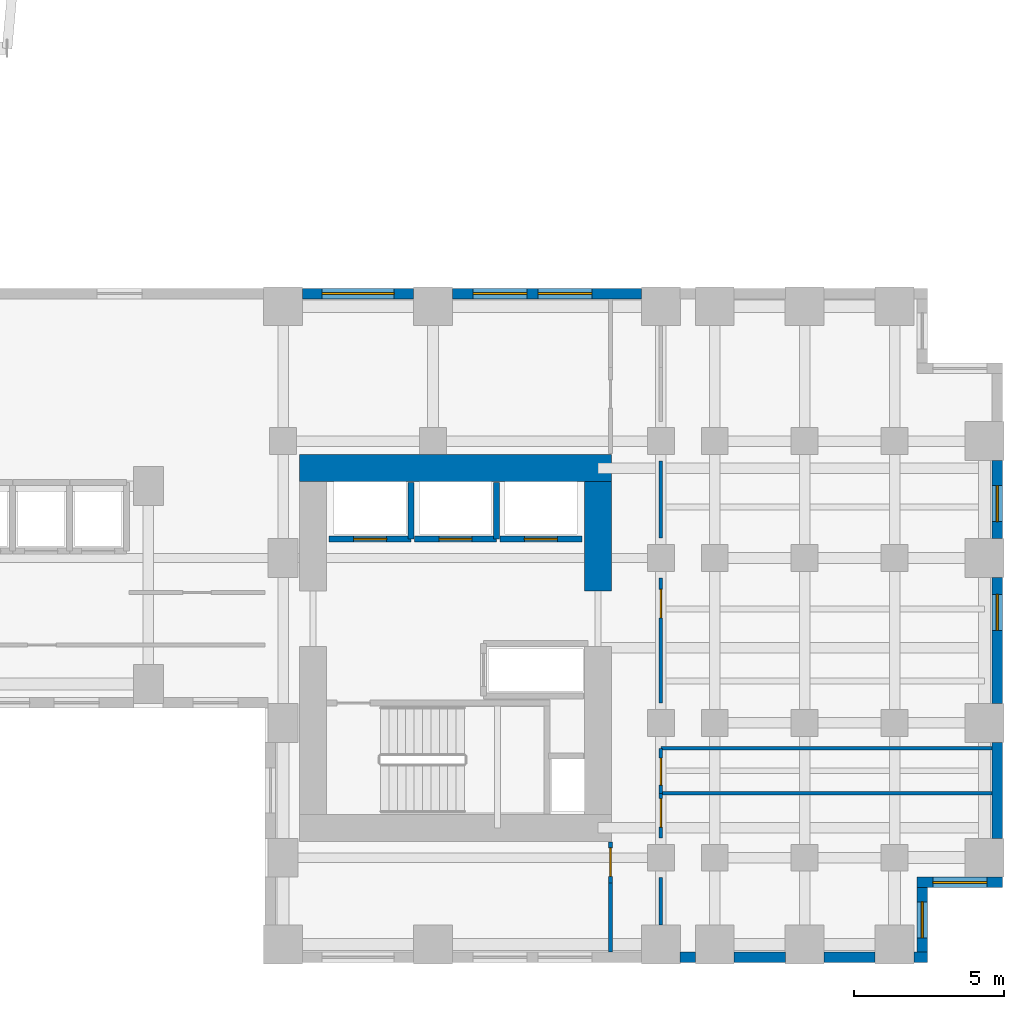
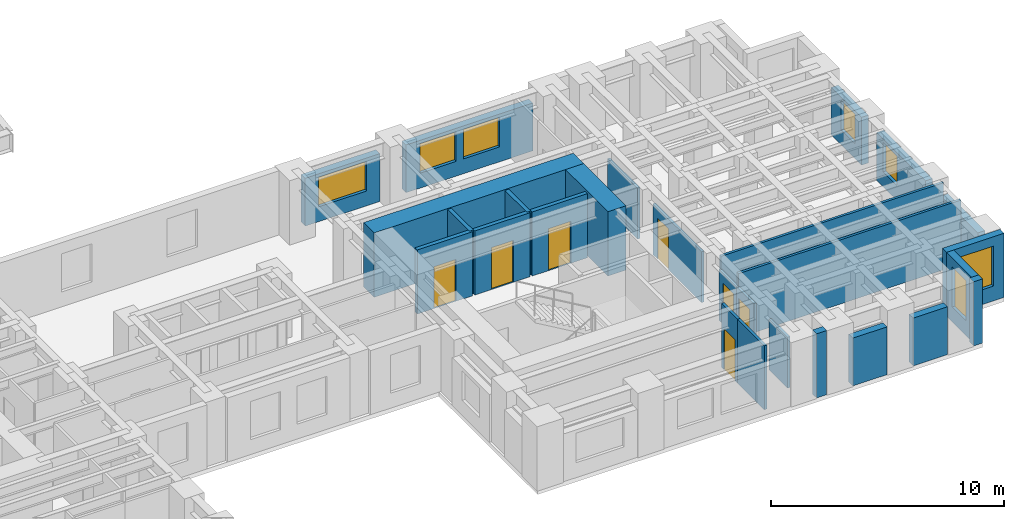
# One storey, part 10 of 15: 27 walls, 7 doors, 7 windows, 14 openings.
"""IFC4 building model written with IfcOpenShell, lengths in metres."""

from ifc_helpers import new_model, si_unit, direction, frame, frame_2d, origin, place, context, subcontext, project, spatial, rectangle, extrude, source, transform, mapped, material, layer, layer_set, type_object, element, fill, save


model = new_model("IFC4")

# Units and contexts
model_context = context("Model", 3, precision=1e-05, world=origin(), true_north=direction((0.0, 1.0)))
body_context = subcontext(model_context, "Body", "Model", "MODEL_VIEW")
ifc_project = project(units=[si_unit("LENGTHUNIT", "METRE"), si_unit("AREAUNIT", "SQUARE_METRE"), si_unit("VOLUMEUNIT", "CUBIC_METRE"), si_unit("PLANEANGLEUNIT", "RADIAN"), si_unit("MASSUNIT", "GRAM", prefix="KILO")], contexts=[model_context])

# Site, building, storey
site_placement = place(None, origin())
site = spatial("IfcSite", under=ifc_project, at=site_placement, CompositionType="ELEMENT")
building_placement = place(site_placement, origin())
building = spatial("IfcBuilding", under=site, at=building_placement, Name="Kharzan Plaza Tower", CompositionType="ELEMENT")
storey_placement = place(building_placement, frame((0.0, 0.0, 22.5)))
storey = spatial("IfcBuildingStorey", under=building, at=storey_placement, Name="L05", CompositionType="ELEMENT", Elevation=22.5)

# Wall, opening, window
ifc_material_1 = material(Name="Concrete C40/50", Category="concrete")
ifc_layer_1 = layer(ifc_material_1, 0.35009765625)
ifc_layer_set_1 = layer_set([ifc_layer_1], Name="Concrete C40/50")
wall_type_1 = type_object("IfcWallType", Name="WL-EXT-MAS-Z1", PredefinedType="SOLIDWALL", material=ifc_layer_set_1)
wall_1_placement = place(storey_placement, frame((56.324951171875, 0.347900390625, 0.0), z_axis=(0.0, 0.0, 1.0), x_axis=(0.0, 1.0, 0.0)))
wall_1 = element("IfcWall", 1, at=wall_1_placement, inside=storey, type_object=wall_type_1, Name="L05 Masonry-Frame Exterior Wall 39", PredefinedType="SOLIDWALL", context=body_context, shape_type="SweptSolid", body=[
    extrude(rectangle(XDim=2.154052734375, YDim=0.35009765625, at=frame_2d((1.0771484375, 0.0))), origin(), (0.0, 0.0, 1.0), 3.364990234375),
])
opening_1_placement = place(wall_1_placement, frame((0.47705078125, 0.0, 0.780029296875)))
opening_1 = element("IfcOpeningElement", 2, at=opening_1_placement, cuts=wall_1, Name="Opening W3", PredefinedType="OPENING", context=body_context, shape_type="SweptSolid", body=[
    extrude(rectangle(XDim=1.199951171875, YDim=2.10009765625, at=frame_2d((0.60009765625, 1.050048828125))), frame((0.0, 0.18505859375, 0.0), z_axis=(0.0, -1.0, 0.0), x_axis=(1.0, 0.0, 0.0)), (0.0, 0.0, 1.0), 0.3701171875),
])
ifc_material_2 = material(Name="Low-E Double Glazing", Category="glass")
window_type_1 = type_object("IfcWindowType", Name="WN-REC-1200x2100", PartitioningType="SINGLE_PANEL", PredefinedType="WINDOW", material=ifc_material_2)
shared_shape_1 = source(origin(), body_context, "Body", "SweptSolid", [
    extrude(rectangle(XDim=1.199951171875, YDim=2.10009765625, at=frame_2d((0.60009765625, 1.050048828125))), frame((0.0, 0.030029296875, 0.0), z_axis=(0.0, -1.0, 0.0), x_axis=(1.0, 0.0, 0.0)), (0.0, 0.0, 1.0), 0.06005859375),
])
window_1_placement = place(opening_1_placement, origin())
window_1 = element("IfcWindow", 3, at=window_1_placement, inside=storey, type_object=window_type_1, Name="L05 Recessed Solar-Control Window 39-1", OverallHeight=2.10009765625, OverallWidth=1.199951171875, PartitioningType="SINGLE_PANEL", PredefinedType="WINDOW", context=body_context, shape_type="MappedRepresentation", body=[
    mapped(shared_shape_1, transform((0.0, 0.0, 0.0), x_axis=(1.0, 0.0, 0.0), y_axis=(0.0, 1.0, 0.0), z_axis=(0.0, 0.0, 1.0))),
])
fill(opening_1, window_1)

wall_2_placement = place(storey_placement, frame((56.14990234375, 2.675048828125, 0.0), z_axis=(0.0, 0.0, 1.0), x_axis=(1.0, 0.0, 0.0)))
wall_2 = element("IfcWall", 4, at=wall_2_placement, inside=storey, type_object=wall_type_1, Name="L05 Masonry-Frame Exterior Wall 40", PredefinedType="SOLIDWALL", context=body_context, shape_type="SweptSolid", body=[
    extrude(rectangle(XDim=2.85009765625, YDim=0.35009765625, at=frame_2d((1.425048828125, 0.0))), origin(), (0.0, 0.0, 1.0), 3.364990234375),
])
opening_2_placement = place(wall_2_placement, frame((0.52490234375, 0.0, 0.780029296875)))
opening_2 = element("IfcOpeningElement", 5, at=opening_2_placement, cuts=wall_2, Name="Opening W1", PredefinedType="OPENING", context=body_context, shape_type="SweptSolid", body=[
    extrude(rectangle(XDim=1.800048828125, YDim=2.10009765625, at=frame_2d((0.89990234375, 1.050048828125))), frame((0.0, 0.18505859375, 0.0), z_axis=(0.0, -1.0, 0.0), x_axis=(1.0, 0.0, 0.0)), (0.0, 0.0, 1.0), 0.3701171875),
])
window_type_2 = type_object("IfcWindowType", Name="WN-REC-1800x2100", PartitioningType="SINGLE_PANEL", PredefinedType="WINDOW", material=ifc_material_2)
shared_shape_2 = source(origin(), body_context, "Body", "SweptSolid", [
    extrude(rectangle(XDim=1.800048828125, YDim=2.10009765625, at=frame_2d((0.89990234375, 1.050048828125))), frame((0.0, 0.030029296875, 0.0), z_axis=(0.0, -1.0, 0.0), x_axis=(1.0, 0.0, 0.0)), (0.0, 0.0, 1.0), 0.06005859375),
])
window_2_placement = place(opening_2_placement, origin())
window_2 = element("IfcWindow", 6, at=window_2_placement, inside=storey, type_object=window_type_2, Name="L05 Recessed Solar-Control Window 40-1", OverallHeight=2.10009765625, OverallWidth=1.800048828125, PartitioningType="SINGLE_PANEL", PredefinedType="WINDOW", context=body_context, shape_type="MappedRepresentation", body=[
    mapped(shared_shape_2, transform((0.0, 0.0, 0.0), x_axis=(1.0, 0.0, 0.0), y_axis=(0.0, 1.0, 0.0), z_axis=(0.0, 0.0, 1.0))),
])
fill(opening_2, window_2)

wall_3_placement = place(storey_placement, frame((58.824951171875, 8.64794921875, 0.0), z_axis=(0.0, 0.0, 1.0), x_axis=(0.0, 1.0, 0.0)))
wall_3 = element("IfcWall", 7, at=wall_3_placement, inside=storey, type_object=wall_type_1, Name="L05 Masonry-Frame Exterior Wall 42", PredefinedType="SOLIDWALL", context=body_context, shape_type="SweptSolid", body=[
    extrude(rectangle(XDim=4.2041015625, YDim=0.35009765625, at=frame_2d((2.10205078125, 0.0))), origin(), (0.0, 0.0, 1.0), 2.510009765625),
])
opening_3_placement = place(wall_3_placement, frame((2.436767578125, 0.0, 0.780029296875)))
opening_3 = element("IfcOpeningElement", 8, at=opening_3_placement, cuts=wall_3, Name="Opening W3", PredefinedType="OPENING", context=body_context, shape_type="SweptSolid", body=[
    extrude(rectangle(XDim=1.199951171875, YDim=1.550048828125, at=frame_2d((0.60009765625, 0.77490234375))), frame((0.0, 0.18505859375, 0.0), z_axis=(0.0, -1.0, 0.0), x_axis=(1.0, 0.0, 0.0)), (0.0, 0.0, 1.0), 0.3701171875),
])
shared_shape_3 = source(origin(), body_context, "Body", "SweptSolid", [
    extrude(rectangle(XDim=1.199951171875, YDim=1.550048828125, at=frame_2d((0.60009765625, 0.77490234375))), frame((0.0, 0.030029296875, 0.0), z_axis=(0.0, -1.0, 0.0), x_axis=(1.0, 0.0, 0.0)), (0.0, 0.0, 1.0), 0.06005859375),
])
window_3_placement = place(opening_3_placement, origin())
window_3 = element("IfcWindow", 9, at=window_3_placement, inside=storey, type_object=window_type_1, Name="L05 Recessed Solar-Control Window 42-1", OverallHeight=1.550048828125, OverallWidth=1.199951171875, PartitioningType="SINGLE_PANEL", PredefinedType="WINDOW", context=body_context, shape_type="MappedRepresentation", body=[
    mapped(shared_shape_3, transform((0.0, 0.0, 0.0), x_axis=(1.0, 0.0, 0.0), y_axis=(0.0, 1.0, 0.0), z_axis=(0.0, 0.0, 1.0))),
])
fill(opening_3, window_3)

wall_4_placement = place(storey_placement, frame((58.824951171875, 14.14794921875, 0.0), z_axis=(0.0, 0.0, 1.0), x_axis=(0.0, 1.0, 0.0)))
wall_4 = element("IfcWall", 10, at=wall_4_placement, inside=storey, type_object=wall_type_1, Name="L05 Masonry-Frame Exterior Wall 43", PredefinedType="SOLIDWALL", context=body_context, shape_type="SweptSolid", body=[
    extrude(rectangle(XDim=2.60400390625, YDim=0.35009765625, at=frame_2d((1.302001953125, 0.0))), origin(), (0.0, 0.0, 1.0), 2.510009765625),
])
opening_4_placement = place(wall_4_placement, frame((0.5673828125, 0.0, 0.780029296875)))
opening_4 = element("IfcOpeningElement", 11, at=opening_4_placement, cuts=wall_4, Name="Opening W3", PredefinedType="OPENING", context=body_context, shape_type="SweptSolid", body=[
    extrude(rectangle(XDim=1.199951171875, YDim=1.550048828125, at=frame_2d((0.60009765625, 0.77490234375))), frame((0.0, 0.18505859375, 0.0), z_axis=(0.0, -1.0, 0.0), x_axis=(1.0, 0.0, 0.0)), (0.0, 0.0, 1.0), 0.3701171875),
])
window_4_placement = place(opening_4_placement, origin())
window_4 = element("IfcWindow", 12, at=window_4_placement, inside=storey, type_object=window_type_1, Name="L05 Recessed Solar-Control Window 43-1", OverallHeight=1.550048828125, OverallWidth=1.199951171875, PartitioningType="SINGLE_PANEL", PredefinedType="WINDOW", context=body_context, shape_type="MappedRepresentation", body=[
    mapped(shared_shape_3, transform((0.0, 0.0, 0.0), x_axis=(1.0, 0.0, 0.0), y_axis=(0.0, 1.0, 0.0), z_axis=(0.0, 0.0, 1.0))),
])
fill(opening_4, window_4)

# Wall, openings, windows
wall_5_placement = place(storey_placement, frame((46.951904296875, 22.324951171875, 0.0), z_axis=(0.0, 0.0, 1.0), x_axis=(-1.0, 0.0, 0.0)))
wall_5 = element("IfcWall", 13, at=wall_5_placement, inside=storey, type_object=wall_type_1, Name="L05 Masonry-Frame Exterior Wall 51", PredefinedType="SOLIDWALL", context=body_context, shape_type="SweptSolid", body=[
    extrude(rectangle(XDim=6.303955078125, YDim=0.35009765625, at=frame_2d((3.15185546875, 0.0))), origin(), (0.0, 0.0, 1.0), 2.510009765625),
])
opening_5_placement = place(wall_5_placement, frame((1.6494140625, 0.0, 0.780029296875)))
opening_5 = element("IfcOpeningElement", 14, at=opening_5_placement, cuts=wall_5, Name="Opening W1", PredefinedType="OPENING", context=body_context, shape_type="SweptSolid", body=[
    extrude(rectangle(XDim=1.800048828125, YDim=1.550048828125, at=frame_2d((0.89990234375, 0.77490234375))), frame((0.0, 0.18505859375, 0.0), z_axis=(0.0, -1.0, 0.0), x_axis=(1.0, 0.0, 0.0)), (0.0, 0.0, 1.0), 0.3701171875),
])
opening_6_placement = place(wall_5_placement, frame((3.816650390625, 0.0, 0.780029296875)))
opening_6 = element("IfcOpeningElement", 15, at=opening_6_placement, cuts=wall_5, Name="Opening W1", PredefinedType="OPENING", context=body_context, shape_type="SweptSolid", body=[
    extrude(rectangle(XDim=1.800048828125, YDim=1.550048828125, at=frame_2d((0.89990234375, 0.77490234375))), frame((0.0, 0.18505859375, 0.0), z_axis=(0.0, -1.0, 0.0), x_axis=(1.0, 0.0, 0.0)), (0.0, 0.0, 1.0), 0.3701171875),
])
shared_shape_4 = source(origin(), body_context, "Body", "SweptSolid", [
    extrude(rectangle(XDim=1.800048828125, YDim=1.550048828125, at=frame_2d((0.89990234375, 0.77490234375))), frame((0.0, 0.030029296875, 0.0), z_axis=(0.0, -1.0, 0.0), x_axis=(1.0, 0.0, 0.0)), (0.0, 0.0, 1.0), 0.06005859375),
])
window_5_placement = place(opening_5_placement, origin())
window_5 = element("IfcWindow", 16, at=window_5_placement, inside=storey, type_object=window_type_2, Name="L05 Recessed Solar-Control Window 51-1", OverallHeight=1.550048828125, OverallWidth=1.800048828125, PartitioningType="SINGLE_PANEL", PredefinedType="WINDOW", context=body_context, shape_type="MappedRepresentation", body=[
    mapped(shared_shape_4, transform((0.0, 0.0, 0.0), x_axis=(1.0, 0.0, 0.0), y_axis=(0.0, 1.0, 0.0), z_axis=(0.0, 0.0, 1.0))),
])
fill(opening_5, window_5)
window_6_placement = place(opening_6_placement, origin())
window_6 = element("IfcWindow", 17, at=window_6_placement, inside=storey, type_object=window_type_2, Name="L05 Recessed Solar-Control Window 51-2", OverallHeight=1.550048828125, OverallWidth=1.800048828125, PartitioningType="SINGLE_PANEL", PredefinedType="WINDOW", context=body_context, shape_type="MappedRepresentation", body=[
    mapped(shared_shape_4, transform((0.0, 0.0, 0.0), x_axis=(1.0, 0.0, 0.0), y_axis=(0.0, 1.0, 0.0), z_axis=(0.0, 0.0, 1.0))),
])
fill(opening_6, window_6)

# Wall, opening, window
wall_6_placement = place(storey_placement, frame((39.35205078125, 22.324951171875, 0.0), z_axis=(0.0, 0.0, 1.0), x_axis=(-1.0, 0.0, 0.0)))
wall_6 = element("IfcWall", 18, at=wall_6_placement, inside=storey, type_object=wall_type_1, Name="L05 Masonry-Frame Exterior Wall 52", PredefinedType="SOLIDWALL", context=body_context, shape_type="SweptSolid", body=[
    extrude(rectangle(XDim=3.7041015625, YDim=0.35009765625, at=frame_2d((1.85205078125, 0.0))), origin(), (0.0, 0.0, 1.0), 2.510009765625),
])
opening_7_placement = place(wall_6_placement, frame((0.652099609375, 0.0, 0.780029296875)))
opening_7 = element("IfcOpeningElement", 19, at=opening_7_placement, cuts=wall_6, Name="Opening W2", PredefinedType="OPENING", context=body_context, shape_type="SweptSolid", body=[
    extrude(rectangle(XDim=2.39990234375, YDim=1.550048828125, at=frame_2d((1.199951171875, 0.77490234375))), frame((0.0, 0.18505859375, 0.0), z_axis=(0.0, -1.0, 0.0), x_axis=(1.0, 0.0, 0.0)), (0.0, 0.0, 1.0), 0.3701171875),
])
window_type_3 = type_object("IfcWindowType", Name="WN-REC-2400x2100", PartitioningType="SINGLE_PANEL", PredefinedType="WINDOW", material=ifc_material_2)
shared_shape_5 = source(origin(), body_context, "Body", "SweptSolid", [
    extrude(rectangle(XDim=2.39990234375, YDim=1.550048828125, at=frame_2d((1.199951171875, 0.77490234375))), frame((0.0, 0.030029296875, 0.0), z_axis=(0.0, -1.0, 0.0), x_axis=(1.0, 0.0, 0.0)), (0.0, 0.0, 1.0), 0.06005859375),
])
window_7_placement = place(opening_7_placement, origin())
window_7 = element("IfcWindow", 20, at=window_7_placement, inside=storey, type_object=window_type_3, Name="L05 Wide Recessed Solar-Control Window 52-1", OverallHeight=1.550048828125, OverallWidth=2.39990234375, PartitioningType="SINGLE_PANEL", PredefinedType="WINDOW", context=body_context, shape_type="MappedRepresentation", body=[
    mapped(shared_shape_5, transform((0.0, 0.0, 0.0), x_axis=(1.0, 0.0, 0.0), y_axis=(0.0, 1.0, 0.0), z_axis=(0.0, 0.0, 1.0))),
])
fill(opening_7, window_7)

# Wall, opening, door
ifc_material_3 = material(Name="Fire-Rated Gypsum Board Partition", Category="gypsum")
ifc_layer_2 = layer(ifc_material_3, 0.125)
ifc_layer_set_2 = layer_set([ifc_layer_2], Name="Fire-Rated Gypsum Board Partition")
wall_type_2 = type_object("IfcWallType", Name="WL-INT-PART-125", PredefinedType="PARTITIONING", material=ifc_layer_set_2)
wall_7_placement = place(storey_placement, frame((47.60009765625, 4.159912109375, 0.0), z_axis=(0.0, 0.0, 1.0), x_axis=(0.0, 1.0, 0.0)))
wall_7 = element("IfcWall", 21, at=wall_7_placement, inside=storey, type_object=wall_type_2, Name="L05 Interior Partition SH-B0W0", PredefinedType="PARTITIONING", context=body_context, shape_type="SweptSolid", body=[
    extrude(rectangle(XDim=1.489990234375, YDim=0.125, at=frame_2d((0.7451171875, 0.0))), origin(), (0.0, 0.0, 1.0), 2.669921875),
])
opening_8_placement = place(wall_7_placement, frame((0.360107421875, 0.0, 0.0)))
opening_8 = element("IfcOpeningElement", 22, at=opening_8_placement, cuts=wall_7, Name="Opening OD1", PredefinedType="OPENING", context=body_context, shape_type="SweptSolid", body=[
    extrude(rectangle(XDim=0.949951171875, YDim=2.14990234375, at=frame_2d((0.47509765625, 1.074951171875))), frame((0.0, 0.072509765625, 0.0), z_axis=(0.0, -1.0, 0.0), x_axis=(1.0, 0.0, 0.0)), (0.0, 0.0, 1.0), 0.14501953125),
])
ifc_material_4 = material(Name="Acoustic Solid-Core Stained Oak", Category="timber")
door_type_1 = type_object("IfcDoorType", Name="DR-OFF-SINGLE", OperationType="NOTDEFINED", PredefinedType="DOOR", material=ifc_material_4)
shared_shape_6 = source(origin(), body_context, "Body", "SweptSolid", [
    extrude(rectangle(XDim=0.949951171875, YDim=2.14990234375, at=frame_2d((0.47509765625, 1.074951171875))), frame((0.0, 0.02490234375, 0.0), z_axis=(0.0, -1.0, 0.0), x_axis=(1.0, 0.0, 0.0)), (0.0, 0.0, 1.0), 0.050048828125),
])
door_1_placement = place(opening_8_placement, origin())
door_1 = element("IfcDoor", 23, at=door_1_placement, inside=storey, type_object=door_type_1, Name="L05 Wing B South Office Door", OperationType="SINGLE_SWING_RIGHT", OverallHeight=2.14990234375, OverallWidth=0.949951171875, PredefinedType="DOOR", context=body_context, shape_type="MappedRepresentation", body=[
    mapped(shared_shape_6, transform((0.0, 0.0, 0.0), x_axis=(1.0, 0.0, 0.0), y_axis=(0.0, 1.0, 0.0), z_axis=(0.0, 0.0, 1.0))),
])
fill(opening_8, door_1)

wall_8_placement = place(storey_placement, frame((47.60009765625, 8.659912109375, 0.0), z_axis=(0.0, 0.0, 1.0), x_axis=(0.0, 1.0, 0.0)))
wall_8 = element("IfcWall", 24, at=wall_8_placement, inside=storey, type_object=wall_type_2, Name="L05 Interior Partition SH-B0W1-S1", PredefinedType="PARTITIONING", context=body_context, shape_type="SweptSolid", body=[
    extrude(rectangle(XDim=4.18017578125, YDim=0.125, at=frame_2d((2.090087890625, 0.0))), origin(), (0.0, 0.0, 1.0), 2.669921875),
])
opening_9_placement = place(wall_8_placement, frame((2.844970703125, 0.0, 0.0)))
opening_9 = element("IfcOpeningElement", 25, at=opening_9_placement, cuts=wall_8, Name="Opening OD1", PredefinedType="OPENING", context=body_context, shape_type="SweptSolid", body=[
    extrude(rectangle(XDim=0.949951171875, YDim=2.14990234375, at=frame_2d((0.47509765625, 1.074951171875))), frame((0.0, 0.072509765625, 0.0), z_axis=(0.0, -1.0, 0.0), x_axis=(1.0, 0.0, 0.0)), (0.0, 0.0, 1.0), 0.14501953125),
])
door_2_placement = place(opening_9_placement, origin())
door_2 = element("IfcDoor", 26, at=door_2_placement, inside=storey, type_object=door_type_1, Name="L05 Open Engineering Workspace Door", OperationType="SINGLE_SWING_LEFT", OverallHeight=2.14990234375, OverallWidth=0.949951171875, PredefinedType="DOOR", context=body_context, shape_type="MappedRepresentation", body=[
    mapped(shared_shape_6, transform((0.0, 0.0, 0.0), x_axis=(1.0, 0.0, 0.0), y_axis=(0.0, 1.0, 0.0), z_axis=(0.0, 0.0, 1.0))),
])
fill(opening_9, door_2)

wall_9_placement = place(storey_placement, frame((47.60009765625, 5.64990234375, 0.0), z_axis=(0.0, 0.0, 1.0), x_axis=(0.0, 1.0, 0.0)))
wall_9 = element("IfcWall", 27, at=wall_9_placement, inside=storey, type_object=wall_type_2, Name="L05 Interior Partition SH-B0WC", PredefinedType="PARTITIONING", context=body_context, shape_type="SweptSolid", body=[
    extrude(rectangle(XDim=1.5, YDim=0.125, at=frame_2d((0.75, 0.0))), origin(), (0.0, 0.0, 1.0), 2.669921875),
])
opening_10_placement = place(wall_9_placement, frame((0.27490234375, 0.0, 0.0)))
opening_10 = element("IfcOpeningElement", 28, at=opening_10_placement, cuts=wall_9, Name="Opening WD1", PredefinedType="OPENING", context=body_context, shape_type="SweptSolid", body=[
    extrude(rectangle(XDim=0.89990234375, YDim=2.14990234375, at=frame_2d((0.449951171875, 1.074951171875))), frame((0.0, 0.072509765625, 0.0), z_axis=(0.0, -1.0, 0.0), x_axis=(1.0, 0.0, 0.0)), (0.0, 0.0, 1.0), 0.14501953125),
])
ifc_material_5 = material(Name="Moisture-Resistant Fire-Rated Laminate", Category="timber")
door_type_2 = type_object("IfcDoorType", Name="DR-WC-900", OperationType="NOTDEFINED", PredefinedType="DOOR", material=ifc_material_5)
shared_shape_7 = source(origin(), body_context, "Body", "SweptSolid", [
    extrude(rectangle(XDim=0.89990234375, YDim=2.14990234375, at=frame_2d((0.449951171875, 1.074951171875))), frame((0.0, 0.02490234375, 0.0), z_axis=(0.0, -1.0, 0.0), x_axis=(1.0, 0.0, 0.0)), (0.0, 0.0, 1.0), 0.050048828125),
])
door_3_placement = place(opening_10_placement, origin())
door_3 = element("IfcDoor", 29, at=door_3_placement, inside=storey, type_object=door_type_2, Name="L05 Wing B Washroom Door", OperationType="SINGLE_SWING_LEFT", OverallHeight=2.14990234375, OverallWidth=0.89990234375, PredefinedType="DOOR", context=body_context, shape_type="MappedRepresentation", body=[
    mapped(shared_shape_7, transform((0.0, 0.0, 0.0), x_axis=(1.0, 0.0, 0.0), y_axis=(0.0, 1.0, 0.0), z_axis=(0.0, 0.0, 1.0))),
])
fill(opening_10, door_3)

wall_10_placement = place(storey_placement, frame((45.919921875, 2.64990234375, 0.0), z_axis=(0.0, 0.0, 1.0), x_axis=(0.0, 1.0, 0.0)))
wall_10 = element("IfcWall", 30, at=wall_10_placement, inside=storey, type_object=wall_type_2, Name="L05 Interior Partition SH-RBSE", PredefinedType="PARTITIONING", context=body_context, shape_type="SweptSolid", body=[
    extrude(rectangle(XDim=1.3701171875, YDim=0.125, at=frame_2d((0.68505859375, 0.0))), origin(), (0.0, 0.0, 1.0), 3.364990234375),
])
opening_11_placement = place(wall_10_placement, frame((0.22509765625, 0.0, 0.0)))
opening_11 = element("IfcOpeningElement", 31, at=opening_11_placement, cuts=wall_10, Name="Opening OD1", PredefinedType="OPENING", context=body_context, shape_type="SweptSolid", body=[
    extrude(rectangle(XDim=0.949951171875, YDim=2.14990234375, at=frame_2d((0.47509765625, 1.074951171875))), frame((0.0, 0.072509765625, 0.0), z_axis=(0.0, -1.0, 0.0), x_axis=(1.0, 0.0, 0.0)), (0.0, 0.0, 1.0), 0.14501953125),
])
door_4_placement = place(opening_11_placement, origin())
door_4 = element("IfcDoor", 32, at=door_4_placement, inside=storey, type_object=door_type_1, Name="L05 South-East Corner Office Door", OperationType="SINGLE_SWING_RIGHT", OverallHeight=2.14990234375, OverallWidth=0.949951171875, PredefinedType="DOOR", context=body_context, shape_type="MappedRepresentation", body=[
    mapped(shared_shape_6, transform((0.0, 0.0, 0.0), x_axis=(1.0, 0.0, 0.0), y_axis=(0.0, 1.0, 0.0), z_axis=(0.0, 0.0, 1.0))),
])
fill(opening_11, door_4)

ifc_layer_3 = layer(ifc_material_1, 0.199951171875)
ifc_layer_set_3 = layer_set([ifc_layer_3], Name="Concrete C40/50")
wall_type_3 = type_object("IfcWallType", Name="WL-INT-SHAFT-200", PredefinedType="PARTITIONING", material=ifc_layer_set_3)
wall_11_placement = place(storey_placement, frame((36.530029296875, 14.1298828125, 0.0), z_axis=(0.0, 0.0, 1.0), x_axis=(1.0, 0.0, 0.0)))
wall_11 = element("IfcWall", 33, at=wall_11_placement, inside=storey, type_object=wall_type_3, Name="L05 Interior Partition SHF-PL-L1-S", PredefinedType="PARTITIONING", context=body_context, shape_type="SweptSolid", body=[
    extrude(rectangle(XDim=2.739990234375, YDim=0.199951171875, at=frame_2d((1.3701171875, 0.0))), origin(), (0.0, 0.0, 1.0), 3.364990234375),
])
opening_12_placement = place(wall_11_placement, frame((0.820068359375, 0.0, 0.0)))
opening_12 = element("IfcOpeningElement", 34, at=opening_12_placement, cuts=wall_11, Name="Opening LD", PredefinedType="OPENING", context=body_context, shape_type="SweptSolid", body=[
    extrude(rectangle(XDim=1.10009765625, YDim=2.199951171875, at=frame_2d((0.550048828125, 1.10009765625))), frame((0.0, 0.10986328125, 0.0), z_axis=(0.0, -1.0, 0.0), x_axis=(1.0, 0.0, 0.0)), (0.0, 0.0, 1.0), 0.219970703125),
])
ifc_material_6 = material(Name="Brushed Stainless Steel", Category="steel")
door_type_3 = type_object("IfcDoorType", Name="DR-LIFT-SLIDE", OperationType="SLIDING_TO_LEFT", PredefinedType="DOOR", material=ifc_material_6)
shared_shape_8 = source(origin(), body_context, "Body", "SweptSolid", [
    extrude(rectangle(XDim=1.10009765625, YDim=2.199951171875, at=frame_2d((0.550048828125, 1.10009765625))), frame((0.0, 0.02490234375, 0.0), z_axis=(0.0, -1.0, 0.0), x_axis=(1.0, 0.0, 0.0)), (0.0, 0.0, 1.0), 0.050048828125),
])
door_5_placement = place(opening_12_placement, origin())
door_5 = element("IfcDoor", 35, at=door_5_placement, inside=storey, type_object=door_type_3, Name="L05 Low-Rise Passenger Lift PL-L1 Sliding Landing Door", OperationType="SLIDING_TO_LEFT", OverallHeight=2.199951171875, OverallWidth=1.10009765625, PredefinedType="DOOR", context=body_context, shape_type="MappedRepresentation", body=[
    mapped(shared_shape_8, transform((0.0, 0.0, 0.0), x_axis=(1.0, 0.0, 0.0), y_axis=(0.0, 1.0, 0.0), z_axis=(0.0, 0.0, 1.0))),
])
fill(opening_12, door_5)

wall_12_placement = place(storey_placement, frame((39.3798828125, 14.1298828125, 0.0), z_axis=(0.0, 0.0, 1.0), x_axis=(1.0, 0.0, 0.0)))
wall_12 = element("IfcWall", 36, at=wall_12_placement, inside=storey, type_object=wall_type_3, Name="L05 Interior Partition SHF-PL-L2-S", PredefinedType="PARTITIONING", context=body_context, shape_type="SweptSolid", body=[
    extrude(rectangle(XDim=2.740234375, YDim=0.199951171875, at=frame_2d((1.3701171875, 0.0))), origin(), (0.0, 0.0, 1.0), 3.364990234375),
])
opening_13_placement = place(wall_12_placement, frame((0.820068359375, 0.0, 0.0)))
opening_13 = element("IfcOpeningElement", 37, at=opening_13_placement, cuts=wall_12, Name="Opening LD", PredefinedType="OPENING", context=body_context, shape_type="SweptSolid", body=[
    extrude(rectangle(XDim=1.10009765625, YDim=2.199951171875, at=frame_2d((0.550048828125, 1.10009765625))), frame((0.0, 0.10986328125, 0.0), z_axis=(0.0, -1.0, 0.0), x_axis=(1.0, 0.0, 0.0)), (0.0, 0.0, 1.0), 0.219970703125),
])
door_6_placement = place(opening_13_placement, origin())
door_6 = element("IfcDoor", 38, at=door_6_placement, inside=storey, type_object=door_type_3, Name="L05 Low-Rise Passenger Lift PL-L2 Sliding Landing Door", OperationType="SLIDING_TO_LEFT", OverallHeight=2.199951171875, OverallWidth=1.10009765625, PredefinedType="DOOR", context=body_context, shape_type="MappedRepresentation", body=[
    mapped(shared_shape_8, transform((0.0, 0.0, 0.0), x_axis=(1.0, 0.0, 0.0), y_axis=(0.0, 1.0, 0.0), z_axis=(0.0, 0.0, 1.0))),
])
fill(opening_13, door_6)

wall_13_placement = place(storey_placement, frame((42.22998046875, 14.1298828125, 0.0), z_axis=(0.0, 0.0, 1.0), x_axis=(1.0, 0.0, 0.0)))
wall_13 = element("IfcWall", 39, at=wall_13_placement, inside=storey, type_object=wall_type_3, Name="L05 Interior Partition SHF-PL-L3-S", PredefinedType="PARTITIONING", context=body_context, shape_type="SweptSolid", body=[
    extrude(rectangle(XDim=2.739990234375, YDim=0.199951171875, at=frame_2d((1.3701171875, 0.0))), origin(), (0.0, 0.0, 1.0), 3.364990234375),
])
opening_14_placement = place(wall_13_placement, frame((0.820068359375, 0.0, 0.0)))
opening_14 = element("IfcOpeningElement", 40, at=opening_14_placement, cuts=wall_13, Name="Opening LD", PredefinedType="OPENING", context=body_context, shape_type="SweptSolid", body=[
    extrude(rectangle(XDim=1.10009765625, YDim=2.199951171875, at=frame_2d((0.550048828125, 1.10009765625))), frame((0.0, 0.10986328125, 0.0), z_axis=(0.0, -1.0, 0.0), x_axis=(1.0, 0.0, 0.0)), (0.0, 0.0, 1.0), 0.219970703125),
])
door_7_placement = place(opening_14_placement, origin())
door_7 = element("IfcDoor", 41, at=door_7_placement, inside=storey, type_object=door_type_3, Name="L05 Low-Rise Passenger Lift PL-L3 Sliding Landing Door", OperationType="SLIDING_TO_LEFT", OverallHeight=2.199951171875, OverallWidth=1.10009765625, PredefinedType="DOOR", context=body_context, shape_type="MappedRepresentation", body=[
    mapped(shared_shape_8, transform((0.0, 0.0, 0.0), x_axis=(1.0, 0.0, 0.0), y_axis=(0.0, 1.0, 0.0), z_axis=(0.0, 0.0, 1.0))),
])
fill(opening_14, door_7)

# Walls
ifc_material_7 = material(Name="Concrete C60/75", Category="concrete")
ifc_layer_4 = layer(ifc_material_7, 0.89990234375)
ifc_layer_set_4 = layer_set([ifc_layer_4], Name="Concrete C60/75")
wall_type_4 = type_object("IfcWallType", Name="WL-CORE-900", PredefinedType="SHEAR", material=ifc_layer_set_4)
shared_shape_9 = source(origin(), body_context, "Body", "SweptSolid", [
    extrude(rectangle(XDim=3.650146484375, YDim=0.89990234375, at=frame_2d((1.8251953125, 0.0))), origin(), (0.0, 0.0, 1.0), 3.3798828125),
])
wall_14_placement = place(storey_placement, frame((45.5, 12.39990234375, 0.0), z_axis=(0.0, 0.0, 1.0), x_axis=(0.0, 1.0, 0.0)))
element("IfcWall", 42, at=wall_14_placement, inside=storey, type_object=wall_type_4, Name="L05 CORE-B east shear pier 2", PredefinedType="SHEAR", context=body_context, shape_type="MappedRepresentation", body=[
    mapped(shared_shape_9, transform((0.0, 0.0, 0.0), x_axis=(1.0, 0.0, 0.0), y_axis=(0.0, 1.0, 0.0), z_axis=(0.0, 0.0, 1.0))),
])
shared_shape_10 = source(origin(), body_context, "Body", "SweptSolid", [
    extrude(rectangle(XDim=10.39990234375, YDim=0.89990234375, at=frame_2d((5.199951171875, 0.0))), origin(), (0.0, 0.0, 1.0), 3.3798828125),
])
wall_15_placement = place(storey_placement, frame((35.550048828125, 16.5, 0.0), z_axis=(0.0, 0.0, 1.0), x_axis=(1.0, 0.0, 0.0)))
element("IfcWall", 43, at=wall_15_placement, inside=storey, type_object=wall_type_4, Name="L05 CORE-B north RC shear wall", PredefinedType="SHEAR", context=body_context, shape_type="MappedRepresentation", body=[
    mapped(shared_shape_10, transform((0.0, 0.0, 0.0), x_axis=(1.0, 0.0, 0.0), y_axis=(0.0, 1.0, 0.0), z_axis=(0.0, 0.0, 1.0))),
])
shared_shape_11 = source(origin(), body_context, "Body", "SweptSolid", [
    extrude(rectangle(XDim=0.50390625, YDim=0.35009765625, at=frame_2d((0.251953125, 0.0))), origin(), (0.0, 0.0, 1.0), 3.364990234375),
])
wall_16_placement = place(storey_placement, frame((48.248046875, 0.175048828125, 0.0), z_axis=(0.0, 0.0, 1.0), x_axis=(1.0, 0.0, 0.0)))
element("IfcWall", 44, at=wall_16_placement, inside=storey, type_object=wall_type_1, Name="L05 Masonry-Frame Exterior Wall 35", PredefinedType="SOLIDWALL", context=body_context, shape_type="MappedRepresentation", body=[
    mapped(shared_shape_11, transform((0.0, 0.0, 0.0), x_axis=(1.0, 0.0, 0.0), y_axis=(0.0, 1.0, 0.0), z_axis=(0.0, 0.0, 1.0))),
])
shared_shape_12 = source(origin(), body_context, "Body", "SweptSolid", [
    extrude(rectangle(XDim=1.703857421875, YDim=0.35009765625, at=frame_2d((0.85205078125, 0.0))), origin(), (0.0, 0.0, 1.0), 2.510009765625),
])
for number, where, z_axis, x_axis, name in (
    (45, (50.048095703125, 0.175048828125, 0.0), (0.0, 0.0, 1.0), (1.0, 0.0, 0.0), "L05 Masonry-Frame Exterior Wall 36"),
    (46, (53.048095703125, 0.175048828125, 0.0), (0.0, 0.0, 1.0), (1.0, 0.0, 0.0), "L05 Masonry-Frame Exterior Wall 37"),
):
    element("IfcWall", number, at=place(storey_placement, frame(where, z_axis=z_axis, x_axis=x_axis)), inside=storey, type_object=wall_type_1, Name=name, PredefinedType="SOLIDWALL", context=body_context, shape_type="MappedRepresentation", body=[
        mapped(shared_shape_12, transform((0.0, 0.0, 0.0), x_axis=(1.0, 0.0, 0.0), y_axis=(0.0, 1.0, 0.0), z_axis=(0.0, 0.0, 1.0))),
    ])
shared_shape_13 = source(origin(), body_context, "Body", "SweptSolid", [
    extrude(rectangle(XDim=0.451904296875, YDim=0.35009765625, at=frame_2d((0.22607421875, 0.0))), origin(), (0.0, 0.0, 1.0), 3.364990234375),
])
wall_17_placement = place(storey_placement, frame((56.048095703125, 0.175048828125, 0.0), z_axis=(0.0, 0.0, 1.0), x_axis=(1.0, 0.0, 0.0)))
element("IfcWall", 47, at=wall_17_placement, inside=storey, type_object=wall_type_1, Name="L05 Masonry-Frame Exterior Wall 38", PredefinedType="SOLIDWALL", context=body_context, shape_type="MappedRepresentation", body=[
    mapped(shared_shape_13, transform((0.0, 0.0, 0.0), x_axis=(1.0, 0.0, 0.0), y_axis=(0.0, 1.0, 0.0), z_axis=(0.0, 0.0, 1.0))),
])
shared_shape_14 = source(origin(), body_context, "Body", "SweptSolid", [
    extrude(rectangle(XDim=3.2041015625, YDim=0.35009765625, at=frame_2d((1.60205078125, 0.0))), origin(), (0.0, 0.0, 1.0), 2.510009765625),
])
wall_18_placement = place(storey_placement, frame((58.824951171875, 4.14794921875, 0.0), z_axis=(0.0, 0.0, 1.0), x_axis=(0.0, 1.0, 0.0)))
element("IfcWall", 48, at=wall_18_placement, inside=storey, type_object=wall_type_1, Name="L05 Masonry-Frame Exterior Wall 41", PredefinedType="SOLIDWALL", context=body_context, shape_type="MappedRepresentation", body=[
    mapped(shared_shape_14, transform((0.0, 0.0, 0.0), x_axis=(1.0, 0.0, 0.0), y_axis=(0.0, 1.0, 0.0), z_axis=(0.0, 0.0, 1.0))),
])
shared_shape_15 = source(origin(), body_context, "Body", "SweptSolid", [
    extrude(rectangle(XDim=11.0478515625, YDim=0.125, at=frame_2d((5.52392578125, 0.0))), origin(), (0.0, 0.0, 1.0), 3.364990234375),
])
for number, where, z_axis, x_axis, name in (
    (49, (47.60009765625, 5.64990234375, 0.0), (0.0, 0.0, 1.0), (1.0, 0.0, 0.0), "L05 Interior Partition SH-B0H1"),
    (50, (47.60009765625, 7.14990234375, 0.0), (0.0, 0.0, 1.0), (1.0, 0.0, 0.0), "L05 Interior Partition SH-B0H2"),
):
    element("IfcWall", number, at=place(storey_placement, frame(where, z_axis=z_axis, x_axis=x_axis)), inside=storey, type_object=wall_type_2, Name=name, PredefinedType="PARTITIONING", context=body_context, shape_type="MappedRepresentation", body=[
        mapped(shared_shape_15, transform((0.0, 0.0, 0.0), x_axis=(1.0, 0.0, 0.0), y_axis=(0.0, 1.0, 0.0), z_axis=(0.0, 0.0, 1.0))),
    ])
shared_shape_16 = source(origin(), body_context, "Body", "SweptSolid", [
    extrude(rectangle(XDim=1.580078125, YDim=0.125, at=frame_2d((0.7900390625, 0.0))), origin(), (0.0, 0.0, 1.0), 2.669921875),
])
wall_19_placement = place(storey_placement, frame((47.60009765625, 1.260009765625, 0.0), z_axis=(0.0, 0.0, 1.0), x_axis=(0.0, 1.0, 0.0)))
element("IfcWall", 51, at=wall_19_placement, inside=storey, type_object=wall_type_2, Name="L05 Interior Partition SH-B0W0S", PredefinedType="PARTITIONING", context=body_context, shape_type="MappedRepresentation", body=[
    mapped(shared_shape_16, transform((0.0, 0.0, 0.0), x_axis=(1.0, 0.0, 0.0), y_axis=(0.0, 1.0, 0.0), z_axis=(0.0, 0.0, 1.0))),
])
shared_shape_17 = source(origin(), body_context, "Body", "SweptSolid", [
    extrude(rectangle(XDim=2.580078125, YDim=0.125, at=frame_2d((1.2900390625, 0.0))), origin(), (0.0, 0.0, 1.0), 2.669921875),
])
wall_20_placement = place(storey_placement, frame((47.60009765625, 14.159912109375, 0.0), z_axis=(0.0, 0.0, 1.0), x_axis=(0.0, 1.0, 0.0)))
element("IfcWall", 52, at=wall_20_placement, inside=storey, type_object=wall_type_2, Name="L05 Interior Partition SH-B0W1-S2", PredefinedType="PARTITIONING", context=body_context, shape_type="MappedRepresentation", body=[
    mapped(shared_shape_17, transform((0.0, 0.0, 0.0), x_axis=(1.0, 0.0, 0.0), y_axis=(0.0, 1.0, 0.0), z_axis=(0.0, 0.0, 1.0))),
])
shared_shape_18 = source(origin(), body_context, "Body", "SweptSolid", [
    extrude(rectangle(XDim=2.2978515625, YDim=0.125, at=frame_2d((1.14892578125, 0.0))), origin(), (0.0, 0.0, 1.0), 3.364990234375),
])
wall_21_placement = place(storey_placement, frame((45.919921875, 0.35205078125, 0.0), z_axis=(0.0, 0.0, 1.0), x_axis=(0.0, 1.0, 0.0)))
element("IfcWall", 53, at=wall_21_placement, inside=storey, type_object=wall_type_2, Name="L05 Interior Partition SH-RBSE0", PredefinedType="PARTITIONING", context=body_context, shape_type="MappedRepresentation", body=[
    mapped(shared_shape_18, transform((0.0, 0.0, 0.0), x_axis=(1.0, 0.0, 0.0), y_axis=(0.0, 1.0, 0.0), z_axis=(0.0, 0.0, 1.0))),
])
shared_shape_19 = source(origin(), body_context, "Body", "SweptSolid", [
    extrude(rectangle(XDim=1.89013671875, YDim=0.199951171875, at=frame_2d((0.945068359375, 0.0))), origin(), (0.0, 0.0, 1.0), 3.364990234375),
])
for number, where, z_axis, x_axis, name in (
    (54, (39.27001953125, 14.1298828125, 0.0), (0.0, 0.0, 1.0), (0.0, 1.0, 0.0), "L05 Interior Partition SHF-PL-L1-E"),
    (55, (42.1201171875, 14.1298828125, 0.0), (0.0, 0.0, 1.0), (0.0, 1.0, 0.0), "L05 Interior Partition SHF-PL-L2-E"),
):
    element("IfcWall", number, at=place(storey_placement, frame(where, z_axis=z_axis, x_axis=x_axis)), inside=storey, type_object=wall_type_3, Name=name, PredefinedType="PARTITIONING", context=body_context, shape_type="MappedRepresentation", body=[
        mapped(shared_shape_19, transform((0.0, 0.0, 0.0), x_axis=(1.0, 0.0, 0.0), y_axis=(0.0, 1.0, 0.0), z_axis=(0.0, 0.0, 1.0))),
    ])

save(model, "model.ifc")
